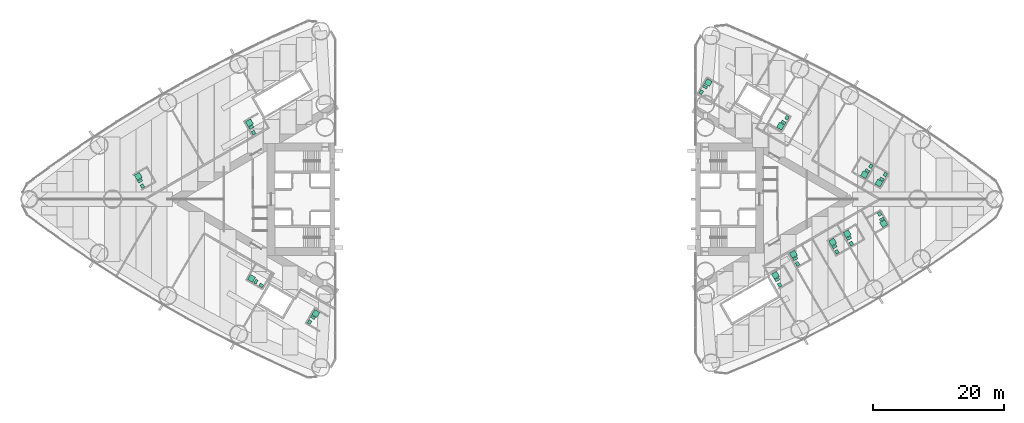
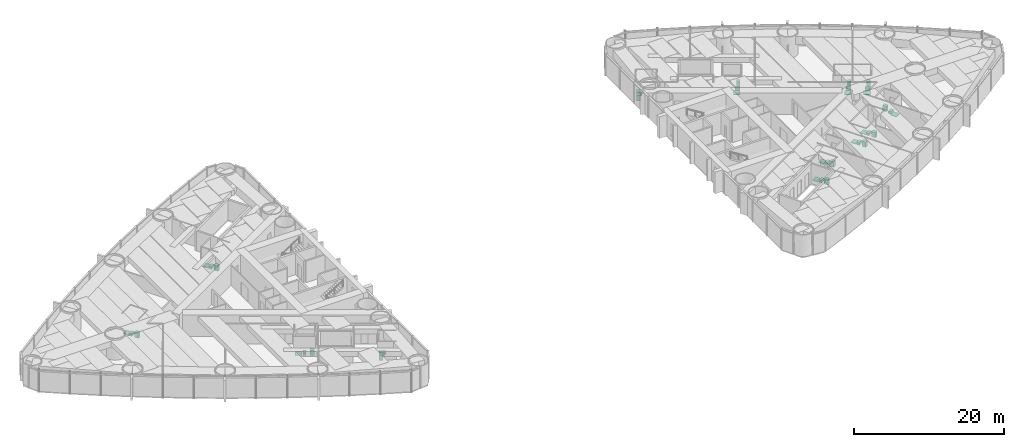
# One storey, part 18 of 18: 17 sanitary terminals.
"""IFC4 building model written with IfcOpenShell, lengths in metres."""

from ifc_helpers import new_model, si_unit, direction, frame, origin, origin_2d, place, context, subcontext, project, spatial, rectangle, extrude, material, type_object, element, save


model = new_model("IFC4")

# Units and contexts
model_context = context("Model", 3, precision=1e-05, world=origin(), true_north=direction((0.0, 1.0)))
body_context = subcontext(model_context, "Body", "Model", "MODEL_VIEW")
ifc_project = project(units=[si_unit("LENGTHUNIT", "METRE"), si_unit("AREAUNIT", "SQUARE_METRE"), si_unit("VOLUMEUNIT", "CUBIC_METRE"), si_unit("PLANEANGLEUNIT", "RADIAN"), si_unit("MASSUNIT", "GRAM", prefix="KILO")], contexts=[model_context])

# Site, building, storey
site_placement = place(None, origin())
site = spatial("IfcSite", under=ifc_project, at=site_placement, CompositionType="ELEMENT")
building_placement = place(site_placement, origin())
building = spatial("IfcBuilding", under=site, at=building_placement, Name="Lancet Gate Hotel", CompositionType="ELEMENT")
storey_placement = place(building_placement, frame((0.0, 0.0, 49.5)))
storey = spatial("IfcBuildingStorey", under=building, at=storey_placement, Name="L12", CompositionType="ELEMENT", Elevation=49.5)

# Sanitary terminals
ifc_material_1 = material(Name="Vitreous china sanitary ware")
sanitary_terminal_type_1 = type_object("IfcSanitaryTerminalType", Name="En-suite sanitary set (shower, WC, basin)", PredefinedType="USERDEFINED", material=ifc_material_1)
sanitary_terminal_1_placement = place(storey_placement, frame((-57.579833984375, 3.4921875, 0.0), z_axis=(0.0, 0.0, 1.0), x_axis=(1.0, 0.0, 0.0)))
element("IfcSanitaryTerminal", 1, at=sanitary_terminal_1_placement, inside=storey, type_object=sanitary_terminal_type_1, Name="En-suite sanitary set (shower, WC, basin) 1203", ObjectType="EN-SUITE SANITARY SET", PredefinedType="USERDEFINED", context=body_context, shape_type="SweptSolid", body=[
    extrude(rectangle(XDim=0.89990234375, YDim=0.89990234375, at=origin_2d()), frame((0.0, 0.0, 0.0), z_axis=(0.0, 0.0, 1.0), x_axis=(-0.5, 0.866025403784, 0.0)), (0.0, 0.0, 1.0), 0.050048828125),
    extrude(rectangle(XDim=0.39990234375, YDim=0.699951171875, at=origin_2d()), frame((0.2783203125, -0.682373046875, 0.0), z_axis=(0.0, 0.0, 1.0), x_axis=(-0.5, 0.866025403784, 0.0)), (0.0, 0.0, 1.0), 0.39990234375),
    extrude(rectangle(XDim=0.60009765625, YDim=0.5, at=origin_2d()), frame((0.6318359375, -1.494384765625, 0.0), z_axis=(0.0, 0.0, 1.0), x_axis=(-0.5, 0.866025403784, 0.0)), (0.0, 0.0, 1.0), 0.85009765625),
])
sanitary_terminal_2_placement = place(storey_placement, frame((-40.609619140625, 11.673095703125, 0.0), z_axis=(0.0, 0.0, 1.0), x_axis=(1.0, 0.0, 0.0)))
element("IfcSanitaryTerminal", 2, at=sanitary_terminal_2_placement, inside=storey, type_object=sanitary_terminal_type_1, Name="En-suite sanitary set (shower, WC, basin) 1202", ObjectType="EN-SUITE SANITARY SET", PredefinedType="USERDEFINED", context=body_context, shape_type="SweptSolid", body=[
    extrude(rectangle(XDim=0.89990234375, YDim=0.89990234375, at=origin_2d()), frame((0.0, 0.0, 0.0), z_axis=(0.0, 0.0, 1.0), x_axis=(-0.5, 0.866025403784, 0.0)), (0.0, 0.0, 1.0), 0.050048828125),
    extrude(rectangle(XDim=0.39990234375, YDim=0.699951171875, at=origin_2d()), frame((0.2783203125, -0.68212890625, 0.0), z_axis=(0.0, 0.0, 1.0), x_axis=(-0.5, 0.866025403784, 0.0)), (0.0, 0.0, 1.0), 0.39990234375),
    extrude(rectangle(XDim=0.60009765625, YDim=0.5, at=origin_2d()), frame((0.6318359375, -1.494140625, 0.0), z_axis=(0.0, 0.0, 1.0), x_axis=(-0.5, 0.866025403784, 0.0)), (0.0, 0.0, 1.0), 0.85009765625),
])
sanitary_terminal_3_placement = place(storey_placement, frame((-30.45166015625, -17.468505859375, 0.0), z_axis=(0.0, 0.0, 1.0), x_axis=(1.0, 0.0, 0.0)))
element("IfcSanitaryTerminal", 3, at=sanitary_terminal_3_placement, inside=storey, type_object=sanitary_terminal_type_1, Name="En-suite sanitary set (shower, WC, basin) 1208", ObjectType="EN-SUITE SANITARY SET", PredefinedType="USERDEFINED", context=body_context, shape_type="SweptSolid", body=[
    extrude(rectangle(XDim=0.89990234375, YDim=0.89990234375, at=origin_2d()), frame((0.0, 0.0, 0.0), z_axis=(0.0, 0.0, 1.0), x_axis=(0.5, 0.866025403784, 0.0)), (0.0, 0.0, 1.0), 0.050048828125),
    extrude(rectangle(XDim=0.39990234375, YDim=0.699951171875, at=origin_2d()), frame((-0.45166015625, -0.582275390625, 0.0), z_axis=(0.0, 0.0, 1.0), x_axis=(0.5, 0.866025403784, 0.0)), (0.0, 0.0, 1.0), 0.39990234375),
    extrude(rectangle(XDim=0.60009765625, YDim=0.5, at=origin_2d()), frame((-0.978271484375, -1.29443359375, 0.0), z_axis=(0.0, 0.0, 1.0), x_axis=(0.5, 0.866025403784, 0.0)), (0.0, 0.0, 1.0), 0.85009765625),
])
sanitary_terminal_4_placement = place(storey_placement, frame((42.490966796875, -8.401123046875, 0.0), z_axis=(0.0, 0.0, 1.0), x_axis=(1.0, 0.0, 0.0)))
element("IfcSanitaryTerminal", 4, at=sanitary_terminal_4_placement, inside=storey, type_object=sanitary_terminal_type_1, Name="En-suite sanitary set (shower, WC, basin) 1254", ObjectType="EN-SUITE SANITARY SET", PredefinedType="USERDEFINED", context=body_context, shape_type="SweptSolid", body=[
    extrude(rectangle(XDim=0.89990234375, YDim=0.89990234375, at=origin_2d()), frame((0.0, 0.0, 0.0), z_axis=(0.0, 0.0, 1.0), x_axis=(-0.5, 0.866025403784, 0.0)), (0.0, 0.0, 1.0), 0.050048828125),
    extrude(rectangle(XDim=0.39990234375, YDim=0.699951171875, at=origin_2d()), frame((0.2783203125, -0.682373046875, 0.0), z_axis=(0.0, 0.0, 1.0), x_axis=(-0.5, 0.866025403784, 0.0)), (0.0, 0.0, 1.0), 0.39990234375),
    extrude(rectangle(XDim=0.60009765625, YDim=0.5, at=origin_2d()), frame((0.6318359375, -1.494384765625, 0.0), z_axis=(0.0, 0.0, 1.0), x_axis=(-0.5, 0.866025403784, 0.0)), (0.0, 0.0, 1.0), 0.85009765625),
])
sanitary_terminal_5_placement = place(storey_placement, frame((48.494873046875, -6.551513671875, 0.0), z_axis=(0.0, 0.0, 1.0), x_axis=(1.0, 0.0, 0.0)))
element("IfcSanitaryTerminal", 5, at=sanitary_terminal_5_placement, inside=storey, type_object=sanitary_terminal_type_1, Name="En-suite sanitary set (shower, WC, basin) 1255", ObjectType="EN-SUITE SANITARY SET", PredefinedType="USERDEFINED", context=body_context, shape_type="SweptSolid", body=[
    extrude(rectangle(XDim=0.89990234375, YDim=0.89990234375, at=origin_2d()), frame((0.0, 0.0, 0.0), z_axis=(0.0, 0.0, 1.0), x_axis=(-0.5, 0.866025403784, 0.0)), (0.0, 0.0, 1.0), 0.050048828125),
    extrude(rectangle(XDim=0.39990234375, YDim=0.699951171875, at=origin_2d()), frame((0.2783203125, -0.68212890625, 0.0), z_axis=(0.0, 0.0, 1.0), x_axis=(-0.5, 0.866025403784, 0.0)), (0.0, 0.0, 1.0), 0.39990234375),
    extrude(rectangle(XDim=0.60009765625, YDim=0.5, at=origin_2d()), frame((0.631591796875, -1.494384765625, 0.0), z_axis=(0.0, 0.0, 1.0), x_axis=(-0.5, 0.866025403784, 0.0)), (0.0, 0.0, 1.0), 0.85009765625),
])
sanitary_terminal_6_placement = place(storey_placement, frame((50.703125, -5.276611328125, 0.0), z_axis=(0.0, 0.0, 1.0), x_axis=(1.0, 0.0, 0.0)))
element("IfcSanitaryTerminal", 6, at=sanitary_terminal_6_placement, inside=storey, type_object=sanitary_terminal_type_1, Name="En-suite sanitary set (shower, WC, basin) 1256", ObjectType="EN-SUITE SANITARY SET", PredefinedType="USERDEFINED", context=body_context, shape_type="SweptSolid", body=[
    extrude(rectangle(XDim=0.89990234375, YDim=0.89990234375, at=origin_2d()), frame((0.0, 0.0, 0.0), z_axis=(0.0, 0.0, 1.0), x_axis=(-0.5, 0.866025403784, 0.0)), (0.0, 0.0, 1.0), 0.050048828125),
    extrude(rectangle(XDim=0.39990234375, YDim=0.699951171875, at=origin_2d()), frame((0.2783203125, -0.68212890625, 0.0), z_axis=(0.0, 0.0, 1.0), x_axis=(-0.5, 0.866025403784, 0.0)), (0.0, 0.0, 1.0), 0.39990234375),
    extrude(rectangle(XDim=0.60009765625, YDim=0.5, at=origin_2d()), frame((0.6318359375, -1.494140625, 0.0), z_axis=(0.0, 0.0, 1.0), x_axis=(-0.5, 0.866025403784, 0.0)), (0.0, 0.0, 1.0), 0.85009765625),
])
sanitary_terminal_7_placement = place(storey_placement, frame((56.279541015625, -3.742919921875, 0.0), z_axis=(0.0, 0.0, 1.0), x_axis=(1.0, 0.0, 0.0)))
element("IfcSanitaryTerminal", 7, at=sanitary_terminal_7_placement, inside=storey, type_object=sanitary_terminal_type_1, Name="En-suite sanitary set (shower, WC, basin) 1257", ObjectType="EN-SUITE SANITARY SET", PredefinedType="USERDEFINED", context=body_context, shape_type="SweptSolid", body=[
    extrude(rectangle(XDim=0.89990234375, YDim=0.89990234375, at=origin_2d()), frame((0.0, 0.0, 0.0), z_axis=(0.0, 0.0, 1.0), x_axis=(0.5, -0.866025403784, 0.0)), (0.0, 0.0, 1.0), 0.050048828125),
    extrude(rectangle(XDim=0.39990234375, YDim=0.699951171875, at=origin_2d()), frame((-0.2783203125, 0.682373046875, 0.0), z_axis=(0.0, 0.0, 1.0), x_axis=(0.5, -0.866025403784, 0.0)), (0.0, 0.0, 1.0), 0.39990234375),
    extrude(rectangle(XDim=0.60009765625, YDim=0.5, at=origin_2d()), frame((-0.6318359375, 1.494384765625, 0.0), z_axis=(0.0, 0.0, 1.0), x_axis=(0.5, -0.866025403784, 0.0)), (0.0, 0.0, 1.0), 0.85009765625),
])
sanitary_terminal_8_placement = place(storey_placement, frame((55.549560546875, 2.478515625, 0.0), z_axis=(0.0, 0.0, 1.0), x_axis=(1.0, 0.0, 0.0)))
element("IfcSanitaryTerminal", 8, at=sanitary_terminal_8_placement, inside=storey, type_object=sanitary_terminal_type_1, Name="En-suite sanitary set (shower, WC, basin) 1258", ObjectType="EN-SUITE SANITARY SET", PredefinedType="USERDEFINED", context=body_context, shape_type="SweptSolid", body=[
    extrude(rectangle(XDim=0.89990234375, YDim=0.89990234375, at=origin_2d()), frame((0.0, 0.0, 0.0), z_axis=(0.0, 0.0, 1.0), x_axis=(-0.5, -0.866025403784, 0.0)), (0.0, 0.0, 1.0), 0.050048828125),
    extrude(rectangle(XDim=0.39990234375, YDim=0.699951171875, at=origin_2d()), frame((0.45166015625, 0.58203125, 0.0), z_axis=(0.0, 0.0, 1.0), x_axis=(-0.5, -0.866025403784, 0.0)), (0.0, 0.0, 1.0), 0.39990234375),
    extrude(rectangle(XDim=0.60009765625, YDim=0.5, at=origin_2d()), frame((0.97802734375, 1.294189453125, 0.0), z_axis=(0.0, 0.0, 1.0), x_axis=(-0.5, -0.866025403784, 0.0)), (0.0, 0.0, 1.0), 0.85009765625),
])
for number, where, z_axis, x_axis, name in (
    (9, (53.341064453125, 3.75341796875, 0.0), (0.0, 0.0, 1.0), (1.0, 0.0, 0.0), "En-suite sanitary set (shower, WC, basin) 1259"),
    (10, (40.530029296875, 11.14990234375, 0.0), (0.0, 0.0, 1.0), (1.0, 0.0, 0.0), "En-suite sanitary set (shower, WC, basin) 1262"),
):
    element("IfcSanitaryTerminal", number, at=place(storey_placement, frame(where, z_axis=z_axis, x_axis=x_axis)), inside=storey, type_object=sanitary_terminal_type_1, Name=name, ObjectType="EN-SUITE SANITARY SET", PredefinedType="USERDEFINED", context=body_context, shape_type="SweptSolid", body=[
        extrude(rectangle(XDim=0.89990234375, YDim=0.89990234375, at=origin_2d()), frame((0.0, 0.0, 0.0), z_axis=(0.0, 0.0, 1.0), x_axis=(-0.5, -0.866025403784, 0.0)), (0.0, 0.0, 1.0), 0.050048828125),
        extrude(rectangle(XDim=0.39990234375, YDim=0.699951171875, at=origin_2d()), frame((0.45166015625, 0.582275390625, 0.0), z_axis=(0.0, 0.0, 1.0), x_axis=(-0.5, -0.866025403784, 0.0)), (0.0, 0.0, 1.0), 0.39990234375),
        extrude(rectangle(XDim=0.60009765625, YDim=0.5, at=origin_2d()), frame((0.978271484375, 1.294189453125, 0.0), z_axis=(0.0, 0.0, 1.0), x_axis=(-0.5, -0.866025403784, 0.0)), (0.0, 0.0, 1.0), 0.85009765625),
    ])
sanitary_terminal_9_placement = place(storey_placement, frame((39.74853515625, -11.60107421875, 0.0), z_axis=(0.0, 0.0, 1.0), x_axis=(1.0, 0.0, 0.0)))
element("IfcSanitaryTerminal", 11, at=sanitary_terminal_9_placement, inside=storey, type_object=sanitary_terminal_type_1, Name="En-suite sanitary set (shower, WC, basin) 1253", ObjectType="EN-SUITE SANITARY SET", PredefinedType="USERDEFINED", context=body_context, shape_type="SweptSolid", body=[
    extrude(rectangle(XDim=0.89990234375, YDim=0.89990234375, at=origin_2d()), frame((0.0, 0.0, 0.0), z_axis=(0.0, 0.0, 1.0), x_axis=(-0.5, 0.866025403784, 0.0)), (0.0, 0.0, 1.0), 0.050048828125),
    extrude(rectangle(XDim=0.39990234375, YDim=0.699951171875, at=origin_2d()), frame((0.2783203125, -0.68212890625, 0.0), z_axis=(0.0, 0.0, 1.0), x_axis=(-0.5, 0.866025403784, 0.0)), (0.0, 0.0, 1.0), 0.39990234375),
    extrude(rectangle(XDim=0.60009765625, YDim=0.5, at=origin_2d()), frame((0.6318359375, -1.494384765625, 0.0), z_axis=(0.0, 0.0, 1.0), x_axis=(-0.5, 0.866025403784, 0.0)), (0.0, 0.0, 1.0), 0.85009765625),
])
ifc_material_2 = material(Name="Stone resin shower tray", Category="masonry")
sanitary_terminal_type_2 = type_object("IfcSanitaryTerminalType", Name="Shower tray 900", PredefinedType="SHOWER", material=ifc_material_2)
for number, where, z_axis, x_axis, name in (
    (12, (-40.2763671875, -12.0966796875, 0.0), (0.0, 0.0, 1.0), (-0.866025403784, 0.5, 0.0), "Shower tray 900 1207"),
    (13, (29.490478515625, 17.82373046875, 0.0), (0.0, 0.0, 1.0), (0.5, 0.866025403784, 0.0), "Shower tray 900 1264"),
):
    element("IfcSanitaryTerminal", number, at=place(storey_placement, frame(where, z_axis=z_axis, x_axis=x_axis)), inside=storey, type_object=sanitary_terminal_type_2, Name=name, PredefinedType="SHOWER", context=body_context, shape_type="SweptSolid", body=[
        extrude(rectangle(XDim=0.89990234375, YDim=0.89990234375, at=origin_2d()), origin(), (0.0, 0.0, 1.0), 0.050048828125),
    ])
ifc_material_3 = material(Name="Vitreous china sanitary ware")
sanitary_terminal_type_3 = type_object("IfcSanitaryTerminalType", Name="Vanity basin 600", PredefinedType="WASHHANDBASIN", material=ifc_material_3)
for number, where, z_axis, x_axis, name in (
    (14, (-38.808837890625, -13.1748046875, 0.0), (0.0, 0.0, 1.0), (-0.866025403784, 0.5, 0.0), "Vanity basin 600 1207"),
    (15, (28.412353515625, 16.356201171875, 0.0), (0.0, 0.0, 1.0), (0.5, 0.866025403784, 0.0), "Vanity basin 600 1264"),
):
    element("IfcSanitaryTerminal", number, at=place(storey_placement, frame(where, z_axis=z_axis, x_axis=x_axis)), inside=storey, type_object=sanitary_terminal_type_3, Name=name, PredefinedType="WASHHANDBASIN", context=body_context, shape_type="SweptSolid", body=[
        extrude(rectangle(XDim=0.60009765625, YDim=0.5, at=origin_2d()), origin(), (0.0, 0.0, 1.0), 0.85009765625),
    ])
ifc_material_4 = material(Name="Vitreous china sanitary ware")
sanitary_terminal_type_4 = type_object("IfcSanitaryTerminalType", Name="WC pan wall hung", PredefinedType="TOILETPAN", material=ifc_material_4)
for number, where, z_axis, x_axis, name in (
    (16, (-39.607421875, -12.59814453125, 0.0), (0.0, 0.0, 1.0), (-0.866025403784, 0.5, 0.0), "WC pan wall hung 1207"),
    (17, (28.989013671875, 17.155029296875, 0.0), (0.0, 0.0, 1.0), (0.5, 0.866025403784, 0.0), "WC pan wall hung 1264"),
):
    element("IfcSanitaryTerminal", number, at=place(storey_placement, frame(where, z_axis=z_axis, x_axis=x_axis)), inside=storey, type_object=sanitary_terminal_type_4, Name=name, PredefinedType="TOILETPAN", context=body_context, shape_type="SweptSolid", body=[
        extrude(rectangle(XDim=0.39990234375, YDim=0.699951171875, at=origin_2d()), origin(), (0.0, 0.0, 1.0), 0.39990234375),
    ])

save(model, "model.ifc")
